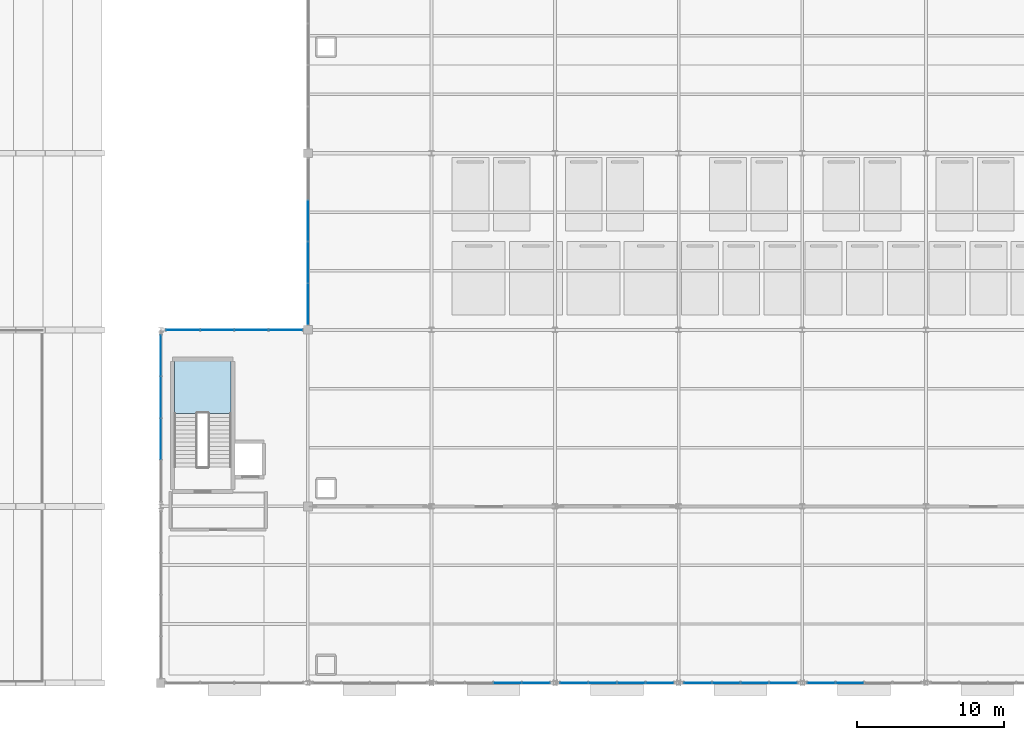
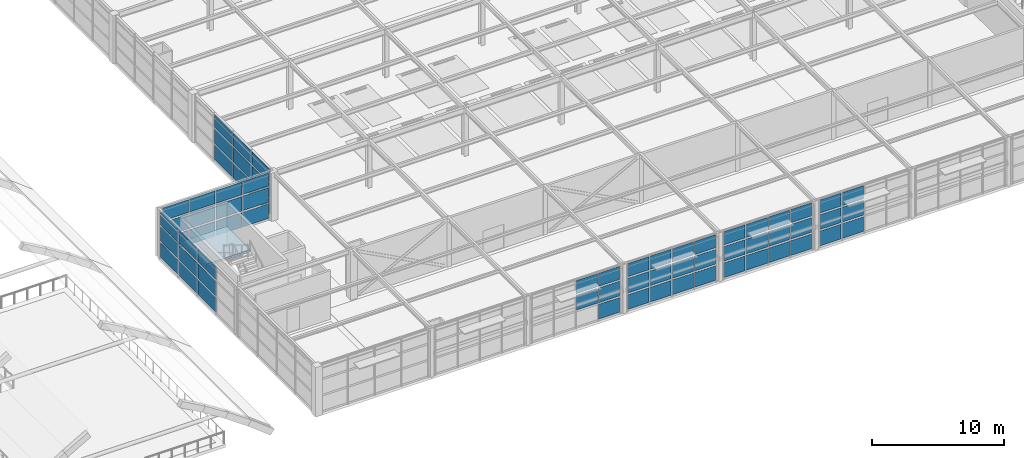
# One storey, part 46 of 82: 65 plates, 1 slab, 8 elements without a shape of their own.
"""IFC4 building model written with IfcOpenShell, lengths in metres."""

from ifc_helpers import new_model, si_unit, direction, frame, origin, origin_2d, place, context, subcontext, project, spatial, polyline, rectangle, outline, extrude, material, layer, layer_set, type_object, element, aggregate, save


model = new_model("IFC4")

# Units and contexts
model_context = context("Model", 3, precision=1e-05, world=origin(), true_north=direction((0.0, 1.0)))
body_context = subcontext(model_context, "Body", "Model", "MODEL_VIEW")
ifc_project = project(units=[si_unit("LENGTHUNIT", "METRE"), si_unit("AREAUNIT", "SQUARE_METRE"), si_unit("VOLUMEUNIT", "CUBIC_METRE"), si_unit("PLANEANGLEUNIT", "RADIAN"), si_unit("MASSUNIT", "GRAM", prefix="KILO")], contexts=[model_context])

# Site, building, storey
site_placement = place(None, origin())
site = spatial("IfcSite", under=ifc_project, at=site_placement, CompositionType="ELEMENT")
building_placement = place(site_placement, origin())
building = spatial("IfcBuilding", under=site, at=building_placement, Name="Sitalva Quay Ferry Terminal", CompositionType="ELEMENT")
storey_placement = place(building_placement, frame((0.0, 0.0, 5.39990234375)))
storey = spatial("IfcBuildingStorey", under=building, at=storey_placement, Name="L02", CompositionType="ELEMENT", Elevation=5.39990234375)

# Curtain wall, plates
ifc_material_1 = material(Name="Anodised Aluminium & Low-E Glazing", Category="aluminium")
ifc_layer_1 = layer(ifc_material_1, 0.159912109375)
ifc_layer_set_1 = layer_set([ifc_layer_1], Name="Anodised Aluminium & Low-E Glazing")
curtain_wall_type_1 = type_object("IfcCurtainWallType", Name="CW_Podium_Stick", PredefinedType="USERDEFINED", material=ifc_layer_set_1)
curtain_wall_1_placement = place(storey_placement, origin())
curtain_wall_1 = element("IfcCurtainWall", 1, at=curtain_wall_1_placement, inside=storey, type_object=curtain_wall_type_1, Name="L02 east monsoon court south glazing (CW-L02-078)", ObjectType="CURTAIN_WALL", PredefinedType="USERDEFINED")
ifc_material_2 = material(Name="Laminated Low-E Double Glazing", Category="glass")
ifc_layer_2 = layer(ifc_material_2, 0.028076171875)
ifc_layer_set_2 = layer_set([ifc_layer_2], Name="Laminated Low-E Double Glazing")
plate_type_1 = type_object("IfcPlateType", Name="Panel_LowE_IGU_28", PredefinedType="CURTAIN_PANEL", material=ifc_layer_set_2)
plate_1_placement = place(storey_placement, frame((75.512451171875, 30.0, 0.1552734375), z_axis=(0.0, 0.0, 1.0), x_axis=(1.0, 0.0, 0.0)))
plate_1 = element("IfcPlate", 2, at=plate_1_placement, type_object=plate_type_1, Name="CW-L02-078-P0-0", PredefinedType="CURTAIN_PANEL", context=body_context, shape_type="SweptSolid", body=[
    extrude(rectangle(XDim=2.25, YDim=0.028076171875, at=origin_2d()), origin(), (0.0, 0.0, 1.0), 1.344970703125),
])
plate_2_placement = place(storey_placement, frame((75.512451171875, 30.0, 1.6552734375), z_axis=(0.0, 0.0, 1.0), x_axis=(1.0, 0.0, 0.0)))
plate_2 = element("IfcPlate", 3, at=plate_2_placement, type_object=plate_type_1, Name="CW-L02-078-P0-1", PredefinedType="CURTAIN_PANEL", context=body_context, shape_type="SweptSolid", body=[
    extrude(rectangle(XDim=2.25, YDim=0.028076171875, at=origin_2d()), origin(), (0.0, 0.0, 1.0), 1.344970703125),
])
plate_3_placement = place(storey_placement, frame((75.512451171875, 30.0, 3.155029296875), z_axis=(0.0, 0.0, 1.0), x_axis=(1.0, 0.0, 0.0)))
plate_3 = element("IfcPlate", 4, at=plate_3_placement, type_object=plate_type_1, Name="CW-L02-078-P0-2", PredefinedType="CURTAIN_PANEL", context=body_context, shape_type="SweptSolid", body=[
    extrude(rectangle(XDim=2.25, YDim=0.028076171875, at=origin_2d()), origin(), (0.0, 0.0, 1.0), 1.18994140625),
])
plate_4_placement = place(storey_placement, frame((77.83740234375, 30.0, 0.1552734375), z_axis=(0.0, 0.0, 1.0), x_axis=(1.0, 0.0, 0.0)))
plate_4 = element("IfcPlate", 5, at=plate_4_placement, type_object=plate_type_1, Name="CW-L02-078-P1-0", PredefinedType="CURTAIN_PANEL", context=body_context, shape_type="SweptSolid", body=[
    extrude(rectangle(XDim=2.25, YDim=0.028076171875, at=origin_2d()), origin(), (0.0, 0.0, 1.0), 1.344970703125),
])
plate_5_placement = place(storey_placement, frame((77.83740234375, 30.0, 1.6552734375), z_axis=(0.0, 0.0, 1.0), x_axis=(1.0, 0.0, 0.0)))
plate_5 = element("IfcPlate", 6, at=plate_5_placement, type_object=plate_type_1, Name="CW-L02-078-P1-1", PredefinedType="CURTAIN_PANEL", context=body_context, shape_type="SweptSolid", body=[
    extrude(rectangle(XDim=2.25, YDim=0.028076171875, at=origin_2d()), origin(), (0.0, 0.0, 1.0), 1.344970703125),
])
plate_6_placement = place(storey_placement, frame((77.83740234375, 30.0, 3.155029296875), z_axis=(0.0, 0.0, 1.0), x_axis=(1.0, 0.0, 0.0)))
plate_6 = element("IfcPlate", 7, at=plate_6_placement, type_object=plate_type_1, Name="CW-L02-078-P1-2", PredefinedType="CURTAIN_PANEL", context=body_context, shape_type="SweptSolid", body=[
    extrude(rectangle(XDim=2.25, YDim=0.028076171875, at=origin_2d()), origin(), (0.0, 0.0, 1.0), 1.18994140625),
])
plate_7_placement = place(storey_placement, frame((80.16259765625, 30.0, 0.1552734375), z_axis=(0.0, 0.0, 1.0), x_axis=(1.0, 0.0, 0.0)))
plate_7 = element("IfcPlate", 8, at=plate_7_placement, type_object=plate_type_1, Name="CW-L02-078-P2-0", PredefinedType="CURTAIN_PANEL", context=body_context, shape_type="SweptSolid", body=[
    extrude(rectangle(XDim=2.25, YDim=0.028076171875, at=origin_2d()), origin(), (0.0, 0.0, 1.0), 1.344970703125),
])
plate_8_placement = place(storey_placement, frame((80.16259765625, 30.0, 1.6552734375), z_axis=(0.0, 0.0, 1.0), x_axis=(1.0, 0.0, 0.0)))
plate_8 = element("IfcPlate", 9, at=plate_8_placement, type_object=plate_type_1, Name="CW-L02-078-P2-1", PredefinedType="CURTAIN_PANEL", context=body_context, shape_type="SweptSolid", body=[
    extrude(rectangle(XDim=2.25, YDim=0.028076171875, at=origin_2d()), origin(), (0.0, 0.0, 1.0), 1.344970703125),
])
plate_9_placement = place(storey_placement, frame((80.16259765625, 30.0, 3.155029296875), z_axis=(0.0, 0.0, 1.0), x_axis=(1.0, 0.0, 0.0)))
plate_9 = element("IfcPlate", 10, at=plate_9_placement, type_object=plate_type_1, Name="CW-L02-078-P2-2", PredefinedType="CURTAIN_PANEL", context=body_context, shape_type="SweptSolid", body=[
    extrude(rectangle(XDim=2.25, YDim=0.028076171875, at=origin_2d()), origin(), (0.0, 0.0, 1.0), 1.18994140625),
])
plate_10_placement = place(storey_placement, frame((82.487548828125, 30.0, 0.1552734375), z_axis=(0.0, 0.0, 1.0), x_axis=(1.0, 0.0, 0.0)))
plate_10 = element("IfcPlate", 11, at=plate_10_placement, type_object=plate_type_1, Name="CW-L02-078-P3-0", PredefinedType="CURTAIN_PANEL", context=body_context, shape_type="SweptSolid", body=[
    extrude(rectangle(XDim=2.25, YDim=0.028076171875, at=origin_2d()), origin(), (0.0, 0.0, 1.0), 1.344970703125),
])
plate_11_placement = place(storey_placement, frame((82.487548828125, 30.0, 1.6552734375), z_axis=(0.0, 0.0, 1.0), x_axis=(1.0, 0.0, 0.0)))
plate_11 = element("IfcPlate", 12, at=plate_11_placement, type_object=plate_type_1, Name="CW-L02-078-P3-1", PredefinedType="CURTAIN_PANEL", context=body_context, shape_type="SweptSolid", body=[
    extrude(rectangle(XDim=2.25, YDim=0.028076171875, at=origin_2d()), origin(), (0.0, 0.0, 1.0), 1.344970703125),
])
plate_12_placement = place(storey_placement, frame((82.487548828125, 30.0, 3.155029296875), z_axis=(0.0, 0.0, 1.0), x_axis=(1.0, 0.0, 0.0)))
plate_12 = element("IfcPlate", 13, at=plate_12_placement, type_object=plate_type_1, Name="CW-L02-078-P3-2", PredefinedType="CURTAIN_PANEL", context=body_context, shape_type="SweptSolid", body=[
    extrude(rectangle(XDim=2.25, YDim=0.028076171875, at=origin_2d()), origin(), (0.0, 0.0, 1.0), 1.18994140625),
])
aggregate(curtain_wall_1, [plate_1, plate_2, plate_3, plate_4, plate_5, plate_6, plate_7, plate_8, plate_9, plate_10, plate_11, plate_12])

curtain_wall_2_placement = place(storey_placement, origin())
curtain_wall_2 = element("IfcCurtainWall", 14, at=curtain_wall_2_placement, inside=storey, type_object=curtain_wall_type_1, Name="L02 spine west clerestory over V1 eaves (CW-L02-084)", ObjectType="CURTAIN_WALL", PredefinedType="USERDEFINED")
plate_13_placement = place(storey_placement, frame((74.0, 22.580078125, 0.1552734375), z_axis=(0.0, 0.0, 1.0), x_axis=(0.0, 1.0, 0.0)))
plate_13 = element("IfcPlate", 15, at=plate_13_placement, type_object=plate_type_1, Name="CW-L02-084-P1-0", PredefinedType="CURTAIN_PANEL", context=body_context, shape_type="SweptSolid", body=[
    extrude(rectangle(XDim=2.764892578125, YDim=0.028076171875, at=origin_2d()), origin(), (0.0, 0.0, 1.0), 1.344970703125),
])
plate_14_placement = place(storey_placement, frame((74.0, 22.580078125, 1.6552734375), z_axis=(0.0, 0.0, 1.0), x_axis=(0.0, 1.0, 0.0)))
plate_14 = element("IfcPlate", 16, at=plate_14_placement, type_object=plate_type_1, Name="CW-L02-084-P1-1", PredefinedType="CURTAIN_PANEL", context=body_context, shape_type="SweptSolid", body=[
    extrude(rectangle(XDim=2.764892578125, YDim=0.028076171875, at=origin_2d()), origin(), (0.0, 0.0, 1.0), 1.344970703125),
])
plate_15_placement = place(storey_placement, frame((74.0, 22.580078125, 3.155029296875), z_axis=(0.0, 0.0, 1.0), x_axis=(0.0, 1.0, 0.0)))
plate_15 = element("IfcPlate", 17, at=plate_15_placement, type_object=plate_type_1, Name="CW-L02-084-P1-2", PredefinedType="CURTAIN_PANEL", context=body_context, shape_type="SweptSolid", body=[
    extrude(rectangle(XDim=2.764892578125, YDim=0.028076171875, at=origin_2d()), origin(), (0.0, 0.0, 1.0), 1.18994140625),
])
plate_16_placement = place(storey_placement, frame((74.0, 25.419921875, 0.1552734375), z_axis=(0.0, 0.0, 1.0), x_axis=(0.0, 1.0, 0.0)))
plate_16 = element("IfcPlate", 18, at=plate_16_placement, type_object=plate_type_1, Name="CW-L02-084-P2-0", PredefinedType="CURTAIN_PANEL", context=body_context, shape_type="SweptSolid", body=[
    extrude(rectangle(XDim=2.764892578125, YDim=0.028076171875, at=origin_2d()), origin(), (0.0, 0.0, 1.0), 1.344970703125),
])
plate_17_placement = place(storey_placement, frame((74.0, 25.419921875, 1.6552734375), z_axis=(0.0, 0.0, 1.0), x_axis=(0.0, 1.0, 0.0)))
plate_17 = element("IfcPlate", 19, at=plate_17_placement, type_object=plate_type_1, Name="CW-L02-084-P2-1", PredefinedType="CURTAIN_PANEL", context=body_context, shape_type="SweptSolid", body=[
    extrude(rectangle(XDim=2.764892578125, YDim=0.028076171875, at=origin_2d()), origin(), (0.0, 0.0, 1.0), 1.344970703125),
])
plate_18_placement = place(storey_placement, frame((74.0, 25.419921875, 3.155029296875), z_axis=(0.0, 0.0, 1.0), x_axis=(0.0, 1.0, 0.0)))
plate_18 = element("IfcPlate", 20, at=plate_18_placement, type_object=plate_type_1, Name="CW-L02-084-P2-2", PredefinedType="CURTAIN_PANEL", context=body_context, shape_type="SweptSolid", body=[
    extrude(rectangle(XDim=2.764892578125, YDim=0.028076171875, at=origin_2d()), origin(), (0.0, 0.0, 1.0), 1.18994140625),
])
plate_19_placement = place(storey_placement, frame((74.0, 28.260009765625, 0.1552734375), z_axis=(0.0, 0.0, 1.0), x_axis=(0.0, 1.0, 0.0)))
plate_19 = element("IfcPlate", 21, at=plate_19_placement, type_object=plate_type_1, Name="CW-L02-084-P3-0", PredefinedType="CURTAIN_PANEL", context=body_context, shape_type="SweptSolid", body=[
    extrude(rectangle(XDim=2.764892578125, YDim=0.028076171875, at=origin_2d()), origin(), (0.0, 0.0, 1.0), 1.344970703125),
])
plate_20_placement = place(storey_placement, frame((74.0, 28.260009765625, 1.6552734375), z_axis=(0.0, 0.0, 1.0), x_axis=(0.0, 1.0, 0.0)))
plate_20 = element("IfcPlate", 22, at=plate_20_placement, type_object=plate_type_1, Name="CW-L02-084-P3-1", PredefinedType="CURTAIN_PANEL", context=body_context, shape_type="SweptSolid", body=[
    extrude(rectangle(XDim=2.764892578125, YDim=0.028076171875, at=origin_2d()), origin(), (0.0, 0.0, 1.0), 1.344970703125),
])
plate_21_placement = place(storey_placement, frame((74.0, 28.260009765625, 3.155029296875), z_axis=(0.0, 0.0, 1.0), x_axis=(0.0, 1.0, 0.0)))
plate_21 = element("IfcPlate", 23, at=plate_21_placement, type_object=plate_type_1, Name="CW-L02-084-P3-2", PredefinedType="CURTAIN_PANEL", context=body_context, shape_type="SweptSolid", body=[
    extrude(rectangle(XDim=2.764892578125, YDim=0.028076171875, at=origin_2d()), origin(), (0.0, 0.0, 1.0), 1.18994140625),
])
aggregate(curtain_wall_2, [plate_13, plate_14, plate_15, plate_16, plate_17, plate_18, plate_19, plate_20, plate_21])

ifc_material_3 = material(Name="Anodised Aluminium & Low-E Glazing", Category="aluminium")
ifc_layer_3 = layer(ifc_material_3, 0.159912109375)
ifc_layer_set_3 = layer_set([ifc_layer_3], Name="Anodised Aluminium & Low-E Glazing")
curtain_wall_type_2 = type_object("IfcCurtainWallType", Name="CW_Concourse_Unitised", PredefinedType="USERDEFINED", material=ifc_layer_set_3)
curtain_wall_3_placement = place(storey_placement, origin())
curtain_wall_3 = element("IfcCurtainWall", 24, at=curtain_wall_3_placement, inside=storey, type_object=curtain_wall_type_2, Name="L02 waterfront boarding concourse glazing (CW-L02-060)", ObjectType="CURTAIN_WALL", PredefinedType="USERDEFINED")
ifc_material_4 = material(Name="Acoustic Laminated Marine Glazing", Category="glass")
ifc_layer_4 = layer(ifc_material_4, 0.033935546875)
ifc_layer_set_4 = layer_set([ifc_layer_4], Name="Acoustic Laminated Marine Glazing")
plate_type_2 = type_object("IfcPlateType", Name="Panel_Marine_IGU_34", PredefinedType="CURTAIN_PANEL", material=ifc_layer_set_4)
plate_22_placement = place(storey_placement, frame((97.570068359375, 6.0, 1.66357421875), z_axis=(0.0, 0.0, 1.0), x_axis=(1.0, 0.0, 0.0)))
plate_22 = element("IfcPlate", 25, at=plate_22_placement, type_object=plate_type_2, Name="CW-L02-060-P2-1", PredefinedType="CURTAIN_PANEL", context=body_context, shape_type="SweptSolid", body=[
    extrude(rectangle(XDim=1.85498046875, YDim=0.033935546875, at=origin_2d()), origin(), (0.0, 0.0, 1.0), 1.36328125),
])
plate_23_placement = place(storey_placement, frame((97.570068359375, 6.0, 3.1767578125), z_axis=(0.0, 0.0, 1.0), x_axis=(1.0, 0.0, 0.0)))
plate_23 = element("IfcPlate", 26, at=plate_23_placement, type_object=plate_type_2, Name="CW-L02-060-P2-2", PredefinedType="CURTAIN_PANEL", context=body_context, shape_type="SweptSolid", body=[
    extrude(rectangle(XDim=1.85498046875, YDim=0.033935546875, at=origin_2d()), origin(), (0.0, 0.0, 1.0), 1.21337890625),
])
plate_24_placement = place(storey_placement, frame((99.510009765625, 6.0, 1.66357421875), z_axis=(0.0, 0.0, 1.0), x_axis=(1.0, 0.0, 0.0)))
plate_24 = element("IfcPlate", 27, at=plate_24_placement, type_object=plate_type_2, Name="CW-L02-060-P3-1", PredefinedType="CURTAIN_PANEL", context=body_context, shape_type="SweptSolid", body=[
    extrude(rectangle(XDim=1.85498046875, YDim=0.033935546875, at=origin_2d()), origin(), (0.0, 0.0, 1.0), 1.36328125),
])
plate_25_placement = place(storey_placement, frame((99.510009765625, 6.0, 3.1767578125), z_axis=(0.0, 0.0, 1.0), x_axis=(1.0, 0.0, 0.0)))
plate_25 = element("IfcPlate", 28, at=plate_25_placement, type_object=plate_type_2, Name="CW-L02-060-P3-2", PredefinedType="CURTAIN_PANEL", context=body_context, shape_type="SweptSolid", body=[
    extrude(rectangle(XDim=1.85498046875, YDim=0.033935546875, at=origin_2d()), origin(), (0.0, 0.0, 1.0), 1.21337890625),
])

curtain_wall_4_placement = place(storey_placement, origin())
curtain_wall_4 = element("IfcCurtainWall", 29, at=curtain_wall_4_placement, inside=storey, type_object=curtain_wall_type_2, Name="L02 waterfront boarding concourse glazing (CW-L02-062)", ObjectType="CURTAIN_WALL", PredefinedType="USERDEFINED")
plate_26_placement = place(storey_placement, frame((102.090087890625, 6.0, 0.150146484375), z_axis=(0.0, 0.0, 1.0), x_axis=(1.0, 0.0, 0.0)))
plate_26 = element("IfcPlate", 30, at=plate_26_placement, type_object=plate_type_2, Name="CW-L02-062-P0-0", PredefinedType="CURTAIN_PANEL", context=body_context, shape_type="SweptSolid", body=[
    extrude(rectangle(XDim=1.85498046875, YDim=0.033935546875, at=origin_2d()), origin(), (0.0, 0.0, 1.0), 1.36328125),
])
plate_27_placement = place(storey_placement, frame((102.090087890625, 6.0, 1.66357421875), z_axis=(0.0, 0.0, 1.0), x_axis=(1.0, 0.0, 0.0)))
plate_27 = element("IfcPlate", 31, at=plate_27_placement, type_object=plate_type_2, Name="CW-L02-062-P0-1", PredefinedType="CURTAIN_PANEL", context=body_context, shape_type="SweptSolid", body=[
    extrude(rectangle(XDim=1.85498046875, YDim=0.033935546875, at=origin_2d()), origin(), (0.0, 0.0, 1.0), 1.36328125),
])
plate_28_placement = place(storey_placement, frame((102.090087890625, 6.0, 3.1767578125), z_axis=(0.0, 0.0, 1.0), x_axis=(1.0, 0.0, 0.0)))
plate_28 = element("IfcPlate", 32, at=plate_28_placement, type_object=plate_type_2, Name="CW-L02-062-P0-2", PredefinedType="CURTAIN_PANEL", context=body_context, shape_type="SweptSolid", body=[
    extrude(rectangle(XDim=1.85498046875, YDim=0.033935546875, at=origin_2d()), origin(), (0.0, 0.0, 1.0), 1.21337890625),
])
plate_29_placement = place(storey_placement, frame((104.030029296875, 6.0, 0.150146484375), z_axis=(0.0, 0.0, 1.0), x_axis=(1.0, 0.0, 0.0)))
plate_29 = element("IfcPlate", 33, at=plate_29_placement, type_object=plate_type_2, Name="CW-L02-062-P1-0", PredefinedType="CURTAIN_PANEL", context=body_context, shape_type="SweptSolid", body=[
    extrude(rectangle(XDim=1.85498046875, YDim=0.033935546875, at=origin_2d()), origin(), (0.0, 0.0, 1.0), 1.36328125),
])
plate_30_placement = place(storey_placement, frame((104.030029296875, 6.0, 1.66357421875), z_axis=(0.0, 0.0, 1.0), x_axis=(1.0, 0.0, 0.0)))
plate_30 = element("IfcPlate", 34, at=plate_30_placement, type_object=plate_type_2, Name="CW-L02-062-P1-1", PredefinedType="CURTAIN_PANEL", context=body_context, shape_type="SweptSolid", body=[
    extrude(rectangle(XDim=1.85498046875, YDim=0.033935546875, at=origin_2d()), origin(), (0.0, 0.0, 1.0), 1.36328125),
])
plate_31_placement = place(storey_placement, frame((104.030029296875, 6.0, 3.1767578125), z_axis=(0.0, 0.0, 1.0), x_axis=(1.0, 0.0, 0.0)))
plate_31 = element("IfcPlate", 35, at=plate_31_placement, type_object=plate_type_2, Name="CW-L02-062-P1-2", PredefinedType="CURTAIN_PANEL", context=body_context, shape_type="SweptSolid", body=[
    extrude(rectangle(XDim=1.85498046875, YDim=0.033935546875, at=origin_2d()), origin(), (0.0, 0.0, 1.0), 1.21337890625),
])
plate_32_placement = place(storey_placement, frame((105.969970703125, 6.0, 0.150146484375), z_axis=(0.0, 0.0, 1.0), x_axis=(1.0, 0.0, 0.0)))
plate_32 = element("IfcPlate", 36, at=plate_32_placement, type_object=plate_type_2, Name="CW-L02-062-P2-0", PredefinedType="CURTAIN_PANEL", context=body_context, shape_type="SweptSolid", body=[
    extrude(rectangle(XDim=1.85498046875, YDim=0.033935546875, at=origin_2d()), origin(), (0.0, 0.0, 1.0), 1.36328125),
])
plate_33_placement = place(storey_placement, frame((105.969970703125, 6.0, 1.66357421875), z_axis=(0.0, 0.0, 1.0), x_axis=(1.0, 0.0, 0.0)))
plate_33 = element("IfcPlate", 37, at=plate_33_placement, type_object=plate_type_2, Name="CW-L02-062-P2-1", PredefinedType="CURTAIN_PANEL", context=body_context, shape_type="SweptSolid", body=[
    extrude(rectangle(XDim=1.85498046875, YDim=0.033935546875, at=origin_2d()), origin(), (0.0, 0.0, 1.0), 1.36328125),
])
plate_34_placement = place(storey_placement, frame((105.969970703125, 6.0, 3.1767578125), z_axis=(0.0, 0.0, 1.0), x_axis=(1.0, 0.0, 0.0)))
plate_34 = element("IfcPlate", 38, at=plate_34_placement, type_object=plate_type_2, Name="CW-L02-062-P2-2", PredefinedType="CURTAIN_PANEL", context=body_context, shape_type="SweptSolid", body=[
    extrude(rectangle(XDim=1.85498046875, YDim=0.033935546875, at=origin_2d()), origin(), (0.0, 0.0, 1.0), 1.21337890625),
])
plate_35_placement = place(storey_placement, frame((107.909912109375, 6.0, 0.150146484375), z_axis=(0.0, 0.0, 1.0), x_axis=(1.0, 0.0, 0.0)))
plate_35 = element("IfcPlate", 39, at=plate_35_placement, type_object=plate_type_2, Name="CW-L02-062-P3-0", PredefinedType="CURTAIN_PANEL", context=body_context, shape_type="SweptSolid", body=[
    extrude(rectangle(XDim=1.85498046875, YDim=0.033935546875, at=origin_2d()), origin(), (0.0, 0.0, 1.0), 1.36328125),
])
plate_36_placement = place(storey_placement, frame((107.909912109375, 6.0, 1.66357421875), z_axis=(0.0, 0.0, 1.0), x_axis=(1.0, 0.0, 0.0)))
plate_36 = element("IfcPlate", 40, at=plate_36_placement, type_object=plate_type_2, Name="CW-L02-062-P3-1", PredefinedType="CURTAIN_PANEL", context=body_context, shape_type="SweptSolid", body=[
    extrude(rectangle(XDim=1.85498046875, YDim=0.033935546875, at=origin_2d()), origin(), (0.0, 0.0, 1.0), 1.36328125),
])
plate_37_placement = place(storey_placement, frame((107.909912109375, 6.0, 3.1767578125), z_axis=(0.0, 0.0, 1.0), x_axis=(1.0, 0.0, 0.0)))
plate_37 = element("IfcPlate", 41, at=plate_37_placement, type_object=plate_type_2, Name="CW-L02-062-P3-2", PredefinedType="CURTAIN_PANEL", context=body_context, shape_type="SweptSolid", body=[
    extrude(rectangle(XDim=1.85498046875, YDim=0.033935546875, at=origin_2d()), origin(), (0.0, 0.0, 1.0), 1.21337890625),
])
aggregate(curtain_wall_4, [plate_26, plate_27, plate_28, plate_29, plate_30, plate_31, plate_32, plate_33, plate_34, plate_35, plate_36, plate_37])

curtain_wall_5_placement = place(storey_placement, origin())
curtain_wall_5 = element("IfcCurtainWall", 42, at=curtain_wall_5_placement, inside=storey, type_object=curtain_wall_type_2, Name="L02 waterfront boarding concourse glazing (CW-L02-063)", ObjectType="CURTAIN_WALL", PredefinedType="USERDEFINED")
plate_38_placement = place(storey_placement, frame((110.489990234375, 6.0, 1.66357421875), z_axis=(0.0, 0.0, 1.0), x_axis=(1.0, 0.0, 0.0)))
plate_38 = element("IfcPlate", 43, at=plate_38_placement, type_object=plate_type_2, Name="CW-L02-063-P0-1", PredefinedType="CURTAIN_PANEL", context=body_context, shape_type="SweptSolid", body=[
    extrude(rectangle(XDim=1.85498046875, YDim=0.033935546875, at=origin_2d()), origin(), (0.0, 0.0, 1.0), 1.36328125),
])
plate_39_placement = place(storey_placement, frame((110.489990234375, 6.0, 3.1767578125), z_axis=(0.0, 0.0, 1.0), x_axis=(1.0, 0.0, 0.0)))
plate_39 = element("IfcPlate", 44, at=plate_39_placement, type_object=plate_type_2, Name="CW-L02-063-P0-2", PredefinedType="CURTAIN_PANEL", context=body_context, shape_type="SweptSolid", body=[
    extrude(rectangle(XDim=1.85498046875, YDim=0.033935546875, at=origin_2d()), origin(), (0.0, 0.0, 1.0), 1.21337890625),
])
plate_40_placement = place(storey_placement, frame((112.429931640625, 6.0, 1.66357421875), z_axis=(0.0, 0.0, 1.0), x_axis=(1.0, 0.0, 0.0)))
plate_40 = element("IfcPlate", 45, at=plate_40_placement, type_object=plate_type_2, Name="CW-L02-063-P1-1", PredefinedType="CURTAIN_PANEL", context=body_context, shape_type="SweptSolid", body=[
    extrude(rectangle(XDim=1.85498046875, YDim=0.033935546875, at=origin_2d()), origin(), (0.0, 0.0, 1.0), 1.36328125),
])
plate_41_placement = place(storey_placement, frame((112.429931640625, 6.0, 3.1767578125), z_axis=(0.0, 0.0, 1.0), x_axis=(1.0, 0.0, 0.0)))
plate_41 = element("IfcPlate", 46, at=plate_41_placement, type_object=plate_type_2, Name="CW-L02-063-P1-2", PredefinedType="CURTAIN_PANEL", context=body_context, shape_type="SweptSolid", body=[
    extrude(rectangle(XDim=1.85498046875, YDim=0.033935546875, at=origin_2d()), origin(), (0.0, 0.0, 1.0), 1.21337890625),
])
plate_42_placement = place(storey_placement, frame((114.3701171875, 6.0, 1.66357421875), z_axis=(0.0, 0.0, 1.0), x_axis=(1.0, 0.0, 0.0)))
plate_42 = element("IfcPlate", 47, at=plate_42_placement, type_object=plate_type_2, Name="CW-L02-063-P2-1", PredefinedType="CURTAIN_PANEL", context=body_context, shape_type="SweptSolid", body=[
    extrude(rectangle(XDim=1.85498046875, YDim=0.033935546875, at=origin_2d()), origin(), (0.0, 0.0, 1.0), 1.36328125),
])
plate_43_placement = place(storey_placement, frame((114.3701171875, 6.0, 3.1767578125), z_axis=(0.0, 0.0, 1.0), x_axis=(1.0, 0.0, 0.0)))
plate_43 = element("IfcPlate", 48, at=plate_43_placement, type_object=plate_type_2, Name="CW-L02-063-P2-2", PredefinedType="CURTAIN_PANEL", context=body_context, shape_type="SweptSolid", body=[
    extrude(rectangle(XDim=1.85498046875, YDim=0.033935546875, at=origin_2d()), origin(), (0.0, 0.0, 1.0), 1.21337890625),
])
plate_44_placement = place(storey_placement, frame((116.31005859375, 6.0, 1.66357421875), z_axis=(0.0, 0.0, 1.0), x_axis=(1.0, 0.0, 0.0)))
plate_44 = element("IfcPlate", 49, at=plate_44_placement, type_object=plate_type_2, Name="CW-L02-063-P3-1", PredefinedType="CURTAIN_PANEL", context=body_context, shape_type="SweptSolid", body=[
    extrude(rectangle(XDim=1.85498046875, YDim=0.033935546875, at=origin_2d()), origin(), (0.0, 0.0, 1.0), 1.36328125),
])
plate_45_placement = place(storey_placement, frame((116.31005859375, 6.0, 3.1767578125), z_axis=(0.0, 0.0, 1.0), x_axis=(1.0, 0.0, 0.0)))
plate_45 = element("IfcPlate", 50, at=plate_45_placement, type_object=plate_type_2, Name="CW-L02-063-P3-2", PredefinedType="CURTAIN_PANEL", context=body_context, shape_type="SweptSolid", body=[
    extrude(rectangle(XDim=1.85498046875, YDim=0.033935546875, at=origin_2d()), origin(), (0.0, 0.0, 1.0), 1.21337890625),
])

curtain_wall_6_placement = place(storey_placement, origin())
curtain_wall_6 = element("IfcCurtainWall", 51, at=curtain_wall_6_placement, inside=storey, type_object=curtain_wall_type_2, Name="L02 waterfront boarding concourse glazing (CW-L02-065)", ObjectType="CURTAIN_WALL", PredefinedType="USERDEFINED")
plate_46_placement = place(storey_placement, frame((118.889892578125, 6.0, 0.150146484375), z_axis=(0.0, 0.0, 1.0), x_axis=(1.0, 0.0, 0.0)))
plate_46 = element("IfcPlate", 52, at=plate_46_placement, type_object=plate_type_2, Name="CW-L02-065-P0-0", PredefinedType="CURTAIN_PANEL", context=body_context, shape_type="SweptSolid", body=[
    extrude(rectangle(XDim=1.85498046875, YDim=0.033935546875, at=origin_2d()), origin(), (0.0, 0.0, 1.0), 1.36328125),
])
plate_47_placement = place(storey_placement, frame((118.889892578125, 6.0, 1.66357421875), z_axis=(0.0, 0.0, 1.0), x_axis=(1.0, 0.0, 0.0)))
plate_47 = element("IfcPlate", 53, at=plate_47_placement, type_object=plate_type_2, Name="CW-L02-065-P0-1", PredefinedType="CURTAIN_PANEL", context=body_context, shape_type="SweptSolid", body=[
    extrude(rectangle(XDim=1.85498046875, YDim=0.033935546875, at=origin_2d()), origin(), (0.0, 0.0, 1.0), 1.36328125),
])
plate_48_placement = place(storey_placement, frame((118.889892578125, 6.0, 3.1767578125), z_axis=(0.0, 0.0, 1.0), x_axis=(1.0, 0.0, 0.0)))
plate_48 = element("IfcPlate", 54, at=plate_48_placement, type_object=plate_type_2, Name="CW-L02-065-P0-2", PredefinedType="CURTAIN_PANEL", context=body_context, shape_type="SweptSolid", body=[
    extrude(rectangle(XDim=1.85498046875, YDim=0.033935546875, at=origin_2d()), origin(), (0.0, 0.0, 1.0), 1.21337890625),
])
plate_49_placement = place(storey_placement, frame((120.830078125, 6.0, 0.150146484375), z_axis=(0.0, 0.0, 1.0), x_axis=(1.0, 0.0, 0.0)))
plate_49 = element("IfcPlate", 55, at=plate_49_placement, type_object=plate_type_2, Name="CW-L02-065-P1-0", PredefinedType="CURTAIN_PANEL", context=body_context, shape_type="SweptSolid", body=[
    extrude(rectangle(XDim=1.85498046875, YDim=0.033935546875, at=origin_2d()), origin(), (0.0, 0.0, 1.0), 1.36328125),
])
plate_50_placement = place(storey_placement, frame((120.830078125, 6.0, 1.66357421875), z_axis=(0.0, 0.0, 1.0), x_axis=(1.0, 0.0, 0.0)))
plate_50 = element("IfcPlate", 56, at=plate_50_placement, type_object=plate_type_2, Name="CW-L02-065-P1-1", PredefinedType="CURTAIN_PANEL", context=body_context, shape_type="SweptSolid", body=[
    extrude(rectangle(XDim=1.85498046875, YDim=0.033935546875, at=origin_2d()), origin(), (0.0, 0.0, 1.0), 1.36328125),
])
plate_51_placement = place(storey_placement, frame((120.830078125, 6.0, 3.1767578125), z_axis=(0.0, 0.0, 1.0), x_axis=(1.0, 0.0, 0.0)))
plate_51 = element("IfcPlate", 57, at=plate_51_placement, type_object=plate_type_2, Name="CW-L02-065-P1-2", PredefinedType="CURTAIN_PANEL", context=body_context, shape_type="SweptSolid", body=[
    extrude(rectangle(XDim=1.85498046875, YDim=0.033935546875, at=origin_2d()), origin(), (0.0, 0.0, 1.0), 1.21337890625),
])
aggregate(curtain_wall_6, [plate_46, plate_47, plate_48, plate_49, plate_50, plate_51])

# Plate
ifc_material_5 = material(Name="Insulated Spandrel Cassette", Category="aluminium")
ifc_layer_5 = layer(ifc_material_5, 0.0400390625)
ifc_layer_set_5 = layer_set([ifc_layer_5], Name="Insulated Spandrel Cassette")
plate_type_3 = type_object("IfcPlateType", Name="Panel_Spandrel_Alu_40", PredefinedType="CURTAIN_PANEL", material=ifc_layer_set_5)
plate_52_placement = place(storey_placement, frame((99.510009765625, 6.0, 0.150146484375), z_axis=(0.0, 0.0, 1.0), x_axis=(1.0, 0.0, 0.0)))
plate_52 = element("IfcPlate", 58, at=plate_52_placement, type_object=plate_type_3, Name="CW-L02-060-P3-0", PredefinedType="CURTAIN_PANEL", context=body_context, shape_type="SweptSolid", body=[
    extrude(rectangle(XDim=1.85498046875, YDim=0.0400390625, at=origin_2d()), origin(), (0.0, 0.0, 1.0), 1.36328125),
])

aggregate(curtain_wall_3, [plate_22, plate_23, plate_52, plate_24, plate_25])

plate_53_placement = place(storey_placement, frame((110.489990234375, 6.0, 0.150146484375), z_axis=(0.0, 0.0, 1.0), x_axis=(1.0, 0.0, 0.0)))
plate_53 = element("IfcPlate", 59, at=plate_53_placement, type_object=plate_type_3, Name="CW-L02-063-P0-0", PredefinedType="CURTAIN_PANEL", context=body_context, shape_type="SweptSolid", body=[
    extrude(rectangle(XDim=1.85498046875, YDim=0.0400390625, at=origin_2d()), origin(), (0.0, 0.0, 1.0), 1.36328125),
])

plate_54_placement = place(storey_placement, frame((112.429931640625, 6.0, 0.150146484375), z_axis=(0.0, 0.0, 1.0), x_axis=(1.0, 0.0, 0.0)))
plate_54 = element("IfcPlate", 60, at=plate_54_placement, type_object=plate_type_3, Name="CW-L02-063-P1-0", PredefinedType="CURTAIN_PANEL", context=body_context, shape_type="SweptSolid", body=[
    extrude(rectangle(XDim=1.85498046875, YDim=0.0400390625, at=origin_2d()), origin(), (0.0, 0.0, 1.0), 1.36328125),
])

plate_55_placement = place(storey_placement, frame((114.3701171875, 6.0, 0.150146484375), z_axis=(0.0, 0.0, 1.0), x_axis=(1.0, 0.0, 0.0)))
plate_55 = element("IfcPlate", 61, at=plate_55_placement, type_object=plate_type_3, Name="CW-L02-063-P2-0", PredefinedType="CURTAIN_PANEL", context=body_context, shape_type="SweptSolid", body=[
    extrude(rectangle(XDim=1.85498046875, YDim=0.0400390625, at=origin_2d()), origin(), (0.0, 0.0, 1.0), 1.36328125),
])

plate_56_placement = place(storey_placement, frame((116.31005859375, 6.0, 0.150146484375), z_axis=(0.0, 0.0, 1.0), x_axis=(1.0, 0.0, 0.0)))
plate_56 = element("IfcPlate", 62, at=plate_56_placement, type_object=plate_type_3, Name="CW-L02-063-P3-0", PredefinedType="CURTAIN_PANEL", context=body_context, shape_type="SweptSolid", body=[
    extrude(rectangle(XDim=1.85498046875, YDim=0.0400390625, at=origin_2d()), origin(), (0.0, 0.0, 1.0), 1.36328125),
])

aggregate(curtain_wall_5, [plate_53, plate_38, plate_39, plate_54, plate_40, plate_41, plate_55, plate_42, plate_43, plate_56, plate_44, plate_45])

# Curtain wall, plates
ifc_material_6 = material(Name="Anodised Aluminium & Low-E Glazing", Category="aluminium")
ifc_layer_6 = layer(ifc_material_6, 0.159912109375)
ifc_layer_set_6 = layer_set([ifc_layer_6], Name="Anodised Aluminium & Low-E Glazing")
curtain_wall_type_3 = type_object("IfcCurtainWallType", Name="CW_Coastal_Louvred", PredefinedType="USERDEFINED", material=ifc_layer_set_6)
curtain_wall_7_placement = place(storey_placement, origin())
curtain_wall_7 = element("IfcCurtainWall", 63, at=curtain_wall_7_placement, inside=storey, type_object=curtain_wall_type_3, Name="L02 east court louvred wall (CW-L02-080)", ObjectType="CURTAIN_WALL", PredefinedType="USERDEFINED")
plate_57_placement = place(storey_placement, frame((84.0, 31.762451171875, 0.14990234375), z_axis=(0.0, 0.0, 1.0), x_axis=(0.0, 1.0, 0.0)))
plate_57 = element("IfcPlate", 64, at=plate_57_placement, type_object=plate_type_3, Name="CW-L02-080-P0-0", PredefinedType="CURTAIN_PANEL", context=body_context, shape_type="SweptSolid", body=[
    extrude(rectangle(XDim=2.7451171875, YDim=0.0400390625, at=origin_2d()), origin(), (0.0, 0.0, 1.0), 1.333251953125),
])
plate_58_placement = place(storey_placement, frame((84.0, 31.762451171875, 1.63330078125), z_axis=(0.0, 0.0, 1.0), x_axis=(0.0, 1.0, 0.0)))
plate_58 = element("IfcPlate", 65, at=plate_58_placement, type_object=plate_type_3, Name="CW-L02-080-P0-1", PredefinedType="CURTAIN_PANEL", context=body_context, shape_type="SweptSolid", body=[
    extrude(rectangle(XDim=2.7451171875, YDim=0.0400390625, at=origin_2d()), origin(), (0.0, 0.0, 1.0), 1.333251953125),
])
plate_59_placement = place(storey_placement, frame((84.0, 31.762451171875, 3.11669921875), z_axis=(0.0, 0.0, 1.0), x_axis=(0.0, 1.0, 0.0)))
plate_59 = element("IfcPlate", 66, at=plate_59_placement, type_object=plate_type_3, Name="CW-L02-080-P0-2", PredefinedType="CURTAIN_PANEL", context=body_context, shape_type="SweptSolid", body=[
    extrude(rectangle(XDim=2.7451171875, YDim=0.0400390625, at=origin_2d()), origin(), (0.0, 0.0, 1.0), 1.183349609375),
])
plate_60_placement = place(storey_placement, frame((84.0, 34.58740234375, 0.14990234375), z_axis=(0.0, 0.0, 1.0), x_axis=(0.0, 1.0, 0.0)))
plate_60 = element("IfcPlate", 67, at=plate_60_placement, type_object=plate_type_3, Name="CW-L02-080-P1-0", PredefinedType="CURTAIN_PANEL", context=body_context, shape_type="SweptSolid", body=[
    extrude(rectangle(XDim=2.7451171875, YDim=0.0400390625, at=origin_2d()), origin(), (0.0, 0.0, 1.0), 1.333251953125),
])
plate_61_placement = place(storey_placement, frame((84.0, 34.58740234375, 1.63330078125), z_axis=(0.0, 0.0, 1.0), x_axis=(0.0, 1.0, 0.0)))
plate_61 = element("IfcPlate", 68, at=plate_61_placement, type_object=plate_type_3, Name="CW-L02-080-P1-1", PredefinedType="CURTAIN_PANEL", context=body_context, shape_type="SweptSolid", body=[
    extrude(rectangle(XDim=2.7451171875, YDim=0.0400390625, at=origin_2d()), origin(), (0.0, 0.0, 1.0), 1.333251953125),
])
plate_62_placement = place(storey_placement, frame((84.0, 34.58740234375, 3.11669921875), z_axis=(0.0, 0.0, 1.0), x_axis=(0.0, 1.0, 0.0)))
plate_62 = element("IfcPlate", 69, at=plate_62_placement, type_object=plate_type_3, Name="CW-L02-080-P1-2", PredefinedType="CURTAIN_PANEL", context=body_context, shape_type="SweptSolid", body=[
    extrude(rectangle(XDim=2.7451171875, YDim=0.0400390625, at=origin_2d()), origin(), (0.0, 0.0, 1.0), 1.183349609375),
])
plate_63_placement = place(storey_placement, frame((84.0, 37.41259765625, 0.14990234375), z_axis=(0.0, 0.0, 1.0), x_axis=(0.0, 1.0, 0.0)))
plate_63 = element("IfcPlate", 70, at=plate_63_placement, type_object=plate_type_3, Name="CW-L02-080-P2-0", PredefinedType="CURTAIN_PANEL", context=body_context, shape_type="SweptSolid", body=[
    extrude(rectangle(XDim=2.7451171875, YDim=0.0400390625, at=origin_2d()), origin(), (0.0, 0.0, 1.0), 1.333251953125),
])
plate_64_placement = place(storey_placement, frame((84.0, 37.41259765625, 1.63330078125), z_axis=(0.0, 0.0, 1.0), x_axis=(0.0, 1.0, 0.0)))
plate_64 = element("IfcPlate", 71, at=plate_64_placement, type_object=plate_type_3, Name="CW-L02-080-P2-1", PredefinedType="CURTAIN_PANEL", context=body_context, shape_type="SweptSolid", body=[
    extrude(rectangle(XDim=2.7451171875, YDim=0.0400390625, at=origin_2d()), origin(), (0.0, 0.0, 1.0), 1.333251953125),
])
plate_65_placement = place(storey_placement, frame((84.0, 37.41259765625, 3.11669921875), z_axis=(0.0, 0.0, 1.0), x_axis=(0.0, 1.0, 0.0)))
plate_65 = element("IfcPlate", 72, at=plate_65_placement, type_object=plate_type_3, Name="CW-L02-080-P2-2", PredefinedType="CURTAIN_PANEL", context=body_context, shape_type="SweptSolid", body=[
    extrude(rectangle(XDim=2.7451171875, YDim=0.0400390625, at=origin_2d()), origin(), (0.0, 0.0, 1.0), 1.183349609375),
])
aggregate(curtain_wall_7, [plate_57, plate_58, plate_59, plate_60, plate_61, plate_62, plate_63, plate_64, plate_65])

# Stair, slab
ifc_material_7 = material(Name="Concrete C35/45", Category="concrete")
stair_type = type_object("IfcStairType", Name="Stair_CoreDogLeg_1400", PredefinedType="HALF_TURN_STAIR", material=ifc_material_7)
stair_placement = place(storey_placement, origin())
stair = element("IfcStair", 73, at=stair_placement, inside=storey, type_object=stair_type, Name="L02 Core C6 stair ST-06", PredefinedType="HALF_TURN_STAIR")
ifc_material_8 = material(Name="Concrete C35/45", Category="concrete")
ifc_layer_7 = layer(ifc_material_8, 0.199951171875)
ifc_layer_set_7 = layer_set([ifc_layer_7], Name="Concrete C35/45")
slab_type = type_object("IfcSlabType", Name="Slab_StairLanding_200", PredefinedType="LANDING", material=ifc_layer_set_7)
slab_placement = place(storey_placement, frame((0.0, 0.0, 2.2001953125)))
slab = element("IfcSlab", 74, at=slab_placement, type_object=slab_type, Name="ST-06 landing 1", PredefinedType="LANDING", context=body_context, shape_type="SweptSolid", body=[
    extrude(outline(polyline([(78.780029296875, 24.320068359375), (78.780029296875, 27.8798828125), (74.919921875, 27.8798828125), (74.919921875, 24.320068359375), (78.780029296875, 24.320068359375)])), origin(), (0.0, 0.0, 1.0), 0.199951171875),
])
aggregate(stair, [slab])

save(model, "model.ifc")
